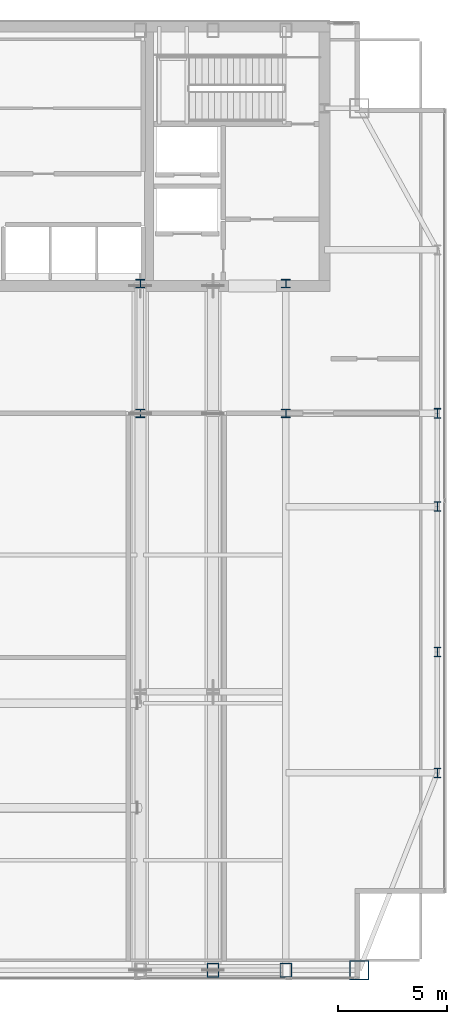
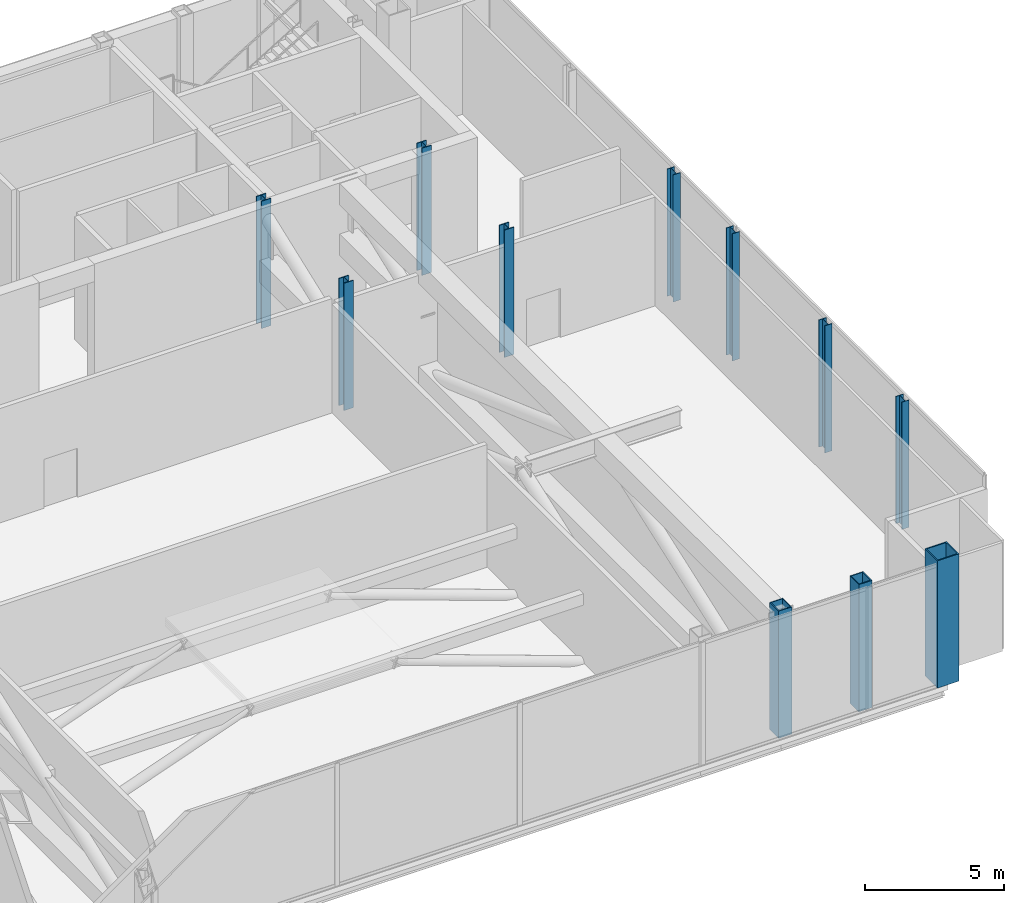
# One storey, part 2 of 26: 11 columns.
"""IFC4 building model written with IfcOpenShell, lengths in metres."""

from ifc_helpers import new_model, si_unit, direction, frame, origin, origin_2d, place, context, subcontext, project, spatial, hollow_rectangle, i_section, extrude, material, material_profile, profile_set, type_object, element, save


model = new_model("IFC4")

# Units and contexts
model_context = context("Model", 3, precision=1e-05, world=origin(), true_north=direction((0.0, 1.0)))
body_context = subcontext(model_context, "Body", "Model", "MODEL_VIEW")
ifc_project = project(units=[si_unit("LENGTHUNIT", "METRE"), si_unit("AREAUNIT", "SQUARE_METRE"), si_unit("VOLUMEUNIT", "CUBIC_METRE"), si_unit("PLANEANGLEUNIT", "RADIAN"), si_unit("MASSUNIT", "GRAM", prefix="KILO")], contexts=[model_context])

# Site, building, storey
site_placement = place(None, origin())
site = spatial("IfcSite", under=ifc_project, at=site_placement, CompositionType="ELEMENT")
building_placement = place(site_placement, origin())
building = spatial("IfcBuilding", under=site, at=building_placement, Name="Khoronbel Lancet Exchange", CompositionType="ELEMENT")
storey_placement = place(building_placement, frame((0.0, 0.0, 350.60009765625)))
storey = spatial("IfcBuildingStorey", under=building, at=storey_placement, Name="L91", CompositionType="ELEMENT", Elevation=350.60009765625)

# Columns
ifc_material_1 = material(Name="Steel S460", Category="steel")
ifc_material_profile_1 = material_profile(ifc_material_1, hollow_rectangle(XDim=0.550048828125, YDim=0.64990234375, WallThickness=0.0400390625, at=origin_2d()), Name="BOX 650x550x40")
ifc_profile_set_1 = profile_set([ifc_material_profile_1], Name="Steel S460")
column_type_1 = type_object("IfcColumnType", Name="COL-EC4", PredefinedType="COLUMN", material=ifc_profile_set_1)
for number, where, z_axis, x_axis, name in (
    (1, (51.33740234375, 10.14990234375, 0.0), (0.0, 0.0, 1.0), (1.0, 0.0, 0.0), "Structural column SC-EM L91"),
    (2, (54.675048828125, 10.14990234375, 0.0), (0.0, 0.0, 1.0), (1.0, 0.0, 0.0), "Structural column SC-E2 L91"),
):
    element("IfcColumn", number, at=place(storey_placement, frame(where, z_axis=z_axis, x_axis=x_axis)), inside=storey, type_object=column_type_1, Name=name, PredefinedType="COLUMN", context=body_context, shape_type="SweptSolid", body=[
        extrude(hollow_rectangle(XDim=0.550048828125, YDim=0.64990234375, WallThickness=0.0400390625, at=origin_2d()), origin(), (0.0, 0.0, 1.0), 5.599853515625),
    ])
ifc_material_2 = material(Name="Steel S355", Category="steel")
ifc_material_profile_2 = material_profile(ifc_material_2, i_section(OverallWidth=0.39892578125, OverallDepth=0.39306640625, WebThickness=0.022705078125, FlangeThickness=0.03662109375, at=origin_2d()), Name="HD 400x287")
ifc_profile_set_2 = profile_set([ifc_material_profile_2], Name="Steel S355")
column_type_2 = type_object("IfcColumnType", Name="COL-IC4", PredefinedType="COLUMN", material=ifc_profile_set_2)
for number, where, z_axis, x_axis, name in (
    (3, (48.0, 35.699951171875, 0.0), (0.0, 0.0, 1.0), (1.0, 0.0, 0.0), "Spine gravity column TC3 L91"),
    (4, (48.0, 41.64990234375, 0.0), (0.0, 0.0, 1.0), (1.0, 0.0, 0.0), "Core-embedded steel column CTC3 L91"),
    (5, (54.675048828125, 35.699951171875, 0.0), (0.0, 0.0, 1.0), (1.0, 0.0, 0.0), "Spine gravity column TC4 L91"),
    (6, (54.675048828125, 41.64990234375, 0.0), (0.0, 0.0, 1.0), (1.0, 0.0, 0.0), "Core-embedded steel column CTC4 L91"),
):
    element("IfcColumn", number, at=place(storey_placement, frame(where, z_axis=z_axis, x_axis=x_axis)), inside=storey, type_object=column_type_2, Name=name, PredefinedType="COLUMN", context=body_context, shape_type="SweptSolid", body=[
        extrude(i_section(OverallWidth=0.39892578125, OverallDepth=0.39306640625, WebThickness=0.022705078125, FlangeThickness=0.03662109375, at=origin_2d()), origin(), (0.0, 0.0, 1.0), 5.599853515625),
    ])
ifc_material_profile_3 = material_profile(ifc_material_2, i_section(OverallWidth=0.300048828125, OverallDepth=0.449951171875, WebThickness=0.013916015625, FlangeThickness=0.02587890625, at=origin_2d()), Name="HEB 450")
ifc_profile_set_3 = profile_set([ifc_material_profile_3], Name="Steel S355")
column_type_3 = type_object("IfcColumnType", Name="COL-LC2", PredefinedType="COLUMN", material=ifc_profile_set_3)
for number, where, z_axis, x_axis, name in (
    (7, (61.6298828125, 19.199951171875, 0.0), (0.0, 0.0, 1.0), (1.0, 0.0, 0.0), "Structural column EC-1 L91"),
    (8, (61.6298828125, 24.75, 0.0), (0.0, 0.0, 1.0), (1.0, 0.0, 0.0), "Structural column EC-2 L91"),
    (9, (61.6298828125, 31.425048828125, 0.0), (0.0, 0.0, 1.0), (1.0, 0.0, 0.0), "Structural column EC-M L91"),
    (10, (61.6298828125, 35.699951171875, 0.0), (0.0, 0.0, 1.0), (1.0, 0.0, 0.0), "Structural column EC-3 L91"),
):
    element("IfcColumn", number, at=place(storey_placement, frame(where, z_axis=z_axis, x_axis=x_axis)), inside=storey, type_object=column_type_3, Name=name, PredefinedType="COLUMN", context=body_context, shape_type="SweptSolid", body=[
        extrude(i_section(OverallWidth=0.300048828125, OverallDepth=0.449951171875, WebThickness=0.013916015625, FlangeThickness=0.02587890625, at=origin_2d()), origin(), (0.0, 0.0, 1.0), 5.599853515625),
    ])
ifc_material_profile_4 = material_profile(ifc_material_1, hollow_rectangle(XDim=0.89990234375, YDim=0.89990234375, WallThickness=0.050048828125, at=origin_2d()), Name="BOX 900x900x50")
ifc_profile_set_4 = profile_set([ifc_material_profile_4], Name="Steel S460")
column_type_4 = type_object("IfcColumnType", Name="COL-MC7", PredefinedType="COLUMN", material=ifc_profile_set_4)
column_placement = place(storey_placement, frame((58.050048828125, 10.14990234375, 0.0), z_axis=(0.0, 0.0, 1.0), x_axis=(1.0, 0.0, 0.0)))
element("IfcColumn", 11, at=column_placement, inside=storey, type_object=column_type_4, Name="Structural column MC-SE L91", PredefinedType="COLUMN", context=body_context, shape_type="SweptSolid", body=[
    extrude(hollow_rectangle(XDim=0.89990234375, YDim=0.89990234375, WallThickness=0.050048828125, at=origin_2d()), origin(), (0.0, 0.0, 1.0), 5.599853515625),
])

save(model, "model.ifc")
